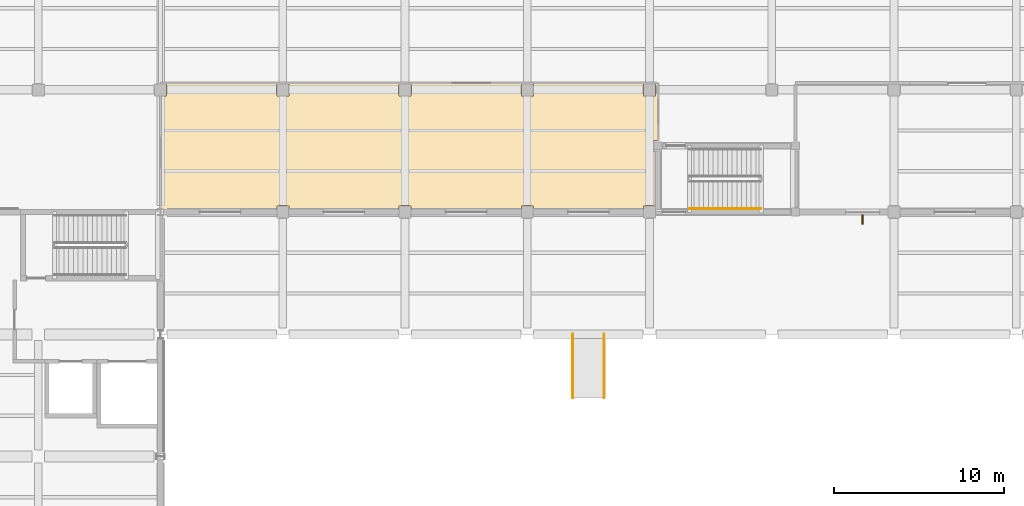
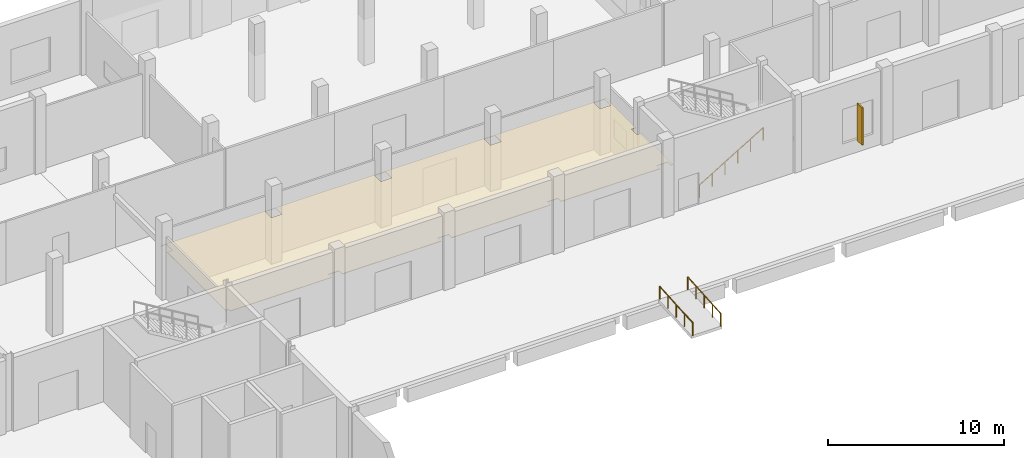
# One storey, part 44 of 46: 3 railings, 1 covering, 1 shading device.
"""IFC4 building model written with IfcOpenShell, lengths in metres."""

from ifc_helpers import new_model, si_unit, direction, frame, origin, origin_2d, place, context, subcontext, project, spatial, polyline, rectangle, circle, outline, extrude, material, layer, layer_set, type_object, element, save


model = new_model("IFC4")

# Units and contexts
model_context = context("Model", 3, precision=1e-05, world=origin(), true_north=direction((0.0, 1.0)))
body_context = subcontext(model_context, "Body", "Model", "MODEL_VIEW")
ifc_project = project(units=[si_unit("LENGTHUNIT", "METRE"), si_unit("AREAUNIT", "SQUARE_METRE"), si_unit("VOLUMEUNIT", "CUBIC_METRE"), si_unit("PLANEANGLEUNIT", "RADIAN"), si_unit("MASSUNIT", "GRAM", prefix="KILO"), si_unit("THERMODYNAMICTEMPERATUREUNIT", "KELVIN"), si_unit("POWERUNIT", "WATT")], contexts=[model_context])

# Site, building, storey
site_placement = place(None, origin())
site = spatial("IfcSite", under=ifc_project, at=site_placement, CompositionType="ELEMENT")
building_placement = place(site_placement, origin())
building = spatial("IfcBuilding", under=site, at=building_placement, Name="Kaldorven Railside Theatre", CompositionType="ELEMENT")
storey_placement = place(building_placement, origin())
storey = spatial("IfcBuildingStorey", under=building, at=storey_placement, Name="L00", CompositionType="ELEMENT", Elevation=0.0)

# Covering
ifc_material_1 = material(Name="Acoustic gypsum board")
ifc_layer = layer(ifc_material_1, 0.0400390625, Name="Acoustic gypsum board")
ifc_layer_set = layer_set([ifc_layer], Name="Acoustic gypsum board")
covering_type = type_object("IfcCoveringType", Name="COV-CLG-01", PredefinedType="CEILING", material=ifc_layer_set)
covering_placement = place(storey_placement, frame((0.0, 0.0, 3.2099609375)))
element("IfcCovering", 1, at=covering_placement, inside=storey, type_object=covering_type, Name="Paint Shop Acoustic Ceiling 010", PredefinedType="CEILING", context=body_context, shape_type="SweptSolid", body=[
    extrude(outline(polyline([(152.5, 112.800048828125), (152.35205078125, 112.800048828125), (152.35205078125, 113.152099609375), (151.64794921875, 113.152099609375), (151.64794921875, 112.800048828125), (145.152099609375, 112.800048828125), (145.152099609375, 113.152099609375), (144.447998046875, 113.152099609375), (144.447998046875, 112.800048828125), (137.951904296875, 112.800048828125), (137.951904296875, 113.152099609375), (137.248046875, 113.152099609375), (137.248046875, 112.800048828125), (130.751953125, 112.800048828125), (130.751953125, 113.152099609375), (130.048095703125, 113.152099609375), (130.048095703125, 112.800048828125), (123.38818359375, 112.800048828125), (123.38818359375, 112.986083984375), (123.199951171875, 112.986083984375), (123.199951171875, 119.64794921875), (123.552001953125, 119.64794921875), (123.552001953125, 120.35205078125), (123.199951171875, 120.35205078125), (123.199951171875, 120.39990234375), (152.5, 120.39990234375), (152.5, 117.001953125), (152.197998046875, 117.001953125), (152.197998046875, 116.39794921875), (152.5, 116.39794921875), (152.5, 112.800048828125)]), holes=[polyline([(130.751953125, 120.35205078125), (130.048095703125, 120.35205078125), (130.048095703125, 119.64794921875), (130.751953125, 119.64794921875), (130.751953125, 120.35205078125)]), polyline([(145.152099609375, 120.35205078125), (144.447998046875, 120.35205078125), (144.447998046875, 119.64794921875), (145.152099609375, 119.64794921875), (145.152099609375, 120.35205078125)]), polyline([(137.951904296875, 120.35205078125), (137.248046875, 120.35205078125), (137.248046875, 119.64794921875), (137.951904296875, 119.64794921875), (137.951904296875, 120.35205078125)]), polyline([(152.35205078125, 120.35205078125), (151.64794921875, 120.35205078125), (151.64794921875, 119.64794921875), (152.35205078125, 119.64794921875), (152.35205078125, 120.35205078125)])]), origin(), (0.0, 0.0, 1.0), 0.0400390625),
])

# Railings
ifc_material_2 = material(Name="Anodised bronze aluminium", Category="aluminium")
railing_type_1 = type_object("IfcRailingType", Name="RLG-BAL-1100", PredefinedType="BALUSTRADE", material=ifc_material_2)
for number, where, name in (
    (2, (147.47998046875, 101.860107421875, -0.25), "Ramp Handrail RHR-06W"),
    (3, (149.320068359375, 101.860107421875, -0.25), "Ramp Handrail RHR-06E"),
):
    element("IfcRailing", number, at=place(storey_placement, frame(where)), inside=storey, type_object=railing_type_1, Name=name, PredefinedType="HANDRAIL", context=body_context, shape_type="SweptSolid", body=[
        extrude(circle(Radius=0.02392578125, at=origin_2d()), frame((0.0, 0.0, 0.8759765625), z_axis=(0.0, 0.997785157857, 0.066519010524), x_axis=(-1.0, 0.0, 0.0)), (0.0, 0.0, 1.0), 3.75830078125),
        extrude(circle(Radius=0.02099609375, at=origin_2d()), origin(), (0.0, 0.0, 1.0), 0.851806640625),
        extrude(circle(Radius=0.02099609375, at=origin_2d()), frame((0.0, 0.9375, 0.0625)), (0.0, 0.0, 1.0), 0.851806640625),
        extrude(circle(Radius=0.02099609375, at=origin_2d()), frame((0.0, 1.875, 0.125)), (0.0, 0.0, 1.0), 0.851806640625),
        extrude(circle(Radius=0.02099609375, at=origin_2d()), frame((0.0, 2.8125, 0.1875)), (0.0, 0.0, 1.0), 0.851806640625),
        extrude(circle(Radius=0.02099609375, at=origin_2d()), frame((0.0, 3.75, 0.25)), (0.0, 0.0, 1.0), 0.851806640625),
    ])
ifc_material_3 = material(Name="Steel S355", Category="steel")
railing_type_2 = type_object("IfcRailingType", Name="RLG-STH-900", PredefinedType="HANDRAIL", material=ifc_material_3)
railing_placement = place(storey_placement, frame((154.35009765625, 113.0, 0.168701171875)))
element("IfcRailing", 4, at=railing_placement, inside=storey, type_object=railing_type_2, Name="L00 ST-08 stair handrail 1", PredefinedType="HANDRAIL", context=body_context, shape_type="SweptSolid", body=[
    extrude(circle(Radius=0.02392578125, at=origin_2d()), frame((0.0, 0.0, 0.8759765625), z_axis=(0.856476492594, 0.0, 0.516186030065), x_axis=(0.0, 1.0, 0.0)), (0.0, 0.0, 1.0), 4.90380859375),
    extrude(circle(Radius=0.02099609375, at=origin_2d()), origin(), (0.0, 0.0, 1.0), 0.851806640625),
    extrude(circle(Radius=0.02099609375, at=origin_2d()), frame((0.840087890625, 0.0, 0.50634765625)), (0.0, 0.0, 1.0), 0.851806640625),
    extrude(circle(Radius=0.02099609375, at=origin_2d()), frame((1.679931640625, 0.0, 1.012451171875)), (0.0, 0.0, 1.0), 0.851806640625),
    extrude(circle(Radius=0.02099609375, at=origin_2d()), frame((2.52001953125, 0.0, 1.518798828125)), (0.0, 0.0, 1.0), 0.851806640625),
    extrude(circle(Radius=0.02099609375, at=origin_2d()), frame((3.35986328125, 0.0, 2.02490234375)), (0.0, 0.0, 1.0), 0.851806640625),
    extrude(circle(Radius=0.02099609375, at=origin_2d()), frame((4.199951171875, 0.0, 2.53125)), (0.0, 0.0, 1.0), 0.851806640625),
])

# Shading device
shading_device_type = type_object("IfcShadingDeviceType", Name="SHD-FIN-02", PredefinedType="USERDEFINED", material=ifc_material_2)
shading_device_placement = place(storey_placement, frame((164.550048828125, 112.35400390625, 0.800048828125), z_axis=(0.0, 0.0, 1.0), x_axis=(-1.0, 0.0, 0.0)))
element("IfcShadingDevice", 5, at=shading_device_placement, inside=storey, type_object=shading_device_type, Name="Anodised-Bronze Brise-Soleil Fin FIN-040", ObjectType="SUNSHADE", PredefinedType="USERDEFINED", context=body_context, shape_type="SweptSolid", body=[
    extrude(rectangle(XDim=0.10009765625, YDim=0.550048828125, at=origin_2d()), origin(), (0.0, 0.0, 1.0), 2.60009765625),
])

save(model, "model.ifc")
